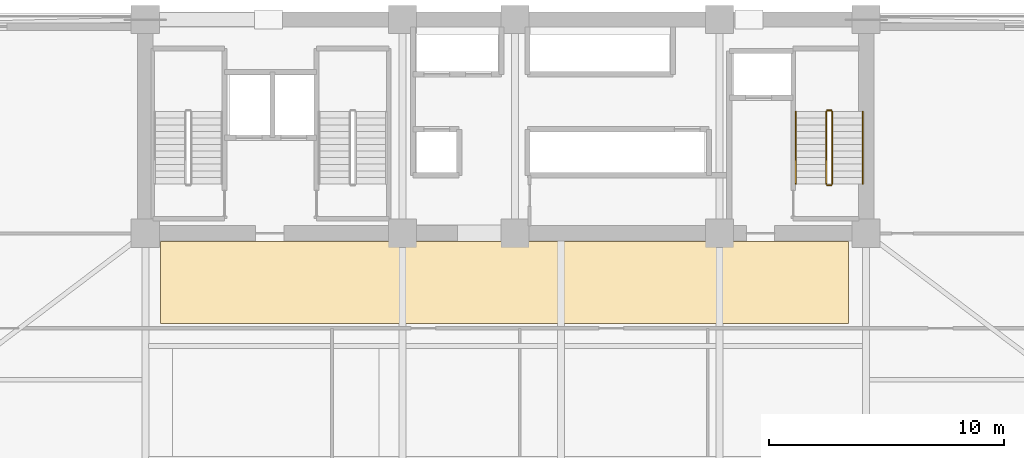
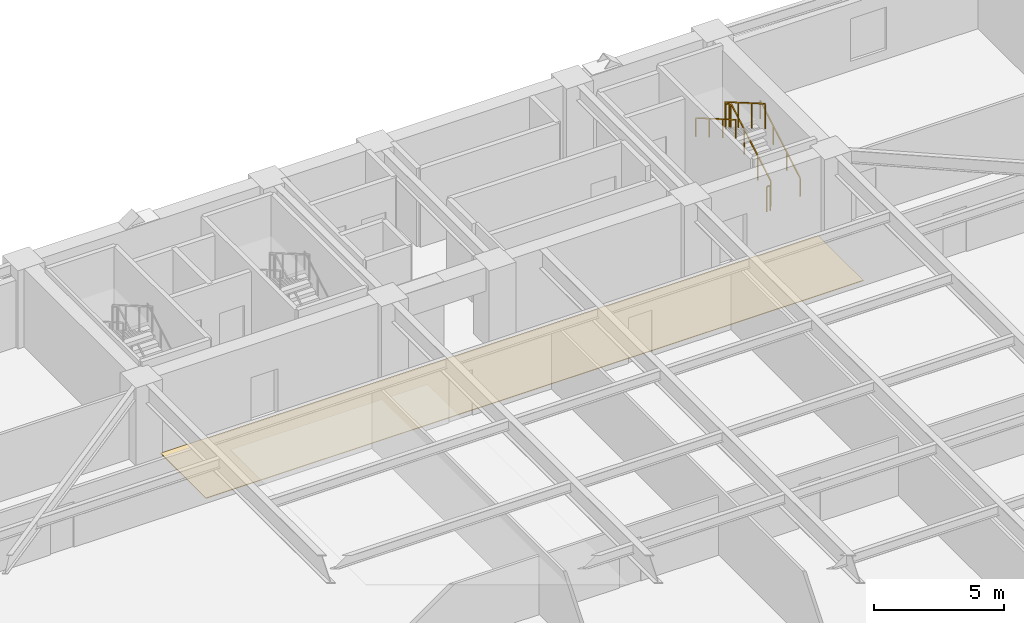
# One storey, part 16 of 17: 6 railings, 1 covering.
"""IFC4 building model written with IfcOpenShell, lengths in metres."""

from ifc_helpers import new_model, si_unit, direction, frame, origin, origin_2d, place, context, subcontext, project, spatial, polyline, rectangle, outline, extrude, material, layer, layer_set, type_object, element, save


model = new_model("IFC4")

# Units and contexts
model_context = context("Model", 3, precision=1e-05, world=origin(), true_north=direction((0.0, 1.0)))
body_context = subcontext(model_context, "Body", "Model", "MODEL_VIEW")
ifc_project = project(units=[si_unit("LENGTHUNIT", "METRE"), si_unit("AREAUNIT", "SQUARE_METRE"), si_unit("VOLUMEUNIT", "CUBIC_METRE"), si_unit("PLANEANGLEUNIT", "RADIAN"), si_unit("MASSUNIT", "GRAM", prefix="KILO")], contexts=[model_context])

# Site, building, storey
site_placement = place(None, origin())
site = spatial("IfcSite", under=ifc_project, at=site_placement, CompositionType="ELEMENT")
building_placement = place(site_placement, origin())
building = spatial("IfcBuilding", under=site, at=building_placement, Name="Giltprow Tower", CompositionType="ELEMENT")
storey_placement = place(building_placement, frame((0.0, 0.0, 37.10009765625)))
storey = spatial("IfcBuildingStorey", under=building, at=storey_placement, Name="L09", CompositionType="ELEMENT", Elevation=37.10009765625)

# Covering
ifc_material_1 = material(Name="Honed granite", Category="masonry")
ifc_layer = layer(ifc_material_1, 0.030029296875, Name="Honed granite")
ifc_layer_set = layer_set([ifc_layer], Name="Honed granite")
covering_type = type_object("IfcCoveringType", Name="COV-FLR-STONE", PredefinedType="FLOORING", material=ifc_layer_set)
covering_placement = place(storey_placement, origin())
element("IfcCovering", 1, at=covering_placement, inside=storey, type_object=covering_type, Name="L09 Office Corridor Stone Flooring", PredefinedType="FLOORING", context=body_context, shape_type="SweptSolid", body=[
    extrude(outline(polyline([(20.5, 33.60009765625), (49.800048828125, 33.60009765625), (49.800048828125, 37.10009765625), (20.5, 37.10009765625), (20.5, 33.60009765625)])), origin(), (0.0, 0.0, 1.0), 0.02978515625),
])

# Railings
ifc_material_2 = material(Name="Anodized bronze", Category="metal")
railing_type_1 = type_object("IfcRailingType", Name="RAIL-STAIR-GUARD-1200", PredefinedType="GUARDRAIL", material=ifc_material_2)
railing_1_placement = place(storey_placement, frame((49.110107421875, 39.550048828125, 0.162353515625)))
element("IfcRailing", 2, at=railing_1_placement, inside=storey, type_object=railing_type_1, Name="L09 ST-3 stair guard 1", PredefinedType="GUARDRAIL", context=body_context, shape_type="SweptSolid", body=[
    extrude(rectangle(XDim=0.048095703125, YDim=0.048095703125, at=origin_2d()), frame((0.0, 0.0, 1.17578125), z_axis=(0.0, 0.864873446163, 0.501989962173), x_axis=(-1.0, 0.0, 0.0)), (0.0, 0.0, 1.0), 3.56103515625),
    extrude(rectangle(XDim=0.0419921875, YDim=0.0419921875, at=origin_2d()), origin(), (0.0, 0.0, 1.0), 1.15185546875),
    extrude(rectangle(XDim=0.0419921875, YDim=0.0419921875, at=origin_2d()), frame((0.0, 1.026611328125, 0.595947265625)), (0.0, 0.0, 1.0), 1.15185546875),
    extrude(rectangle(XDim=0.0419921875, YDim=0.0419921875, at=origin_2d()), frame((0.0, 2.05322265625, 1.191650390625)), (0.0, 0.0, 1.0), 1.15185546875),
    extrude(rectangle(XDim=0.0419921875, YDim=0.0419921875, at=origin_2d()), frame((0.0, 3.079833984375, 1.78759765625)), (0.0, 0.0, 1.0), 1.15185546875),
])
railing_2_placement = place(storey_placement, frame((49.06005859375, 42.679931640625, 1.949951171875)))
element("IfcRailing", 3, at=railing_2_placement, inside=storey, type_object=railing_type_1, Name="L09 ST-3 stair guard 2", PredefinedType="GUARDRAIL", context=body_context, shape_type="SweptSolid", body=[
    extrude(rectangle(XDim=0.048095703125, YDim=0.048095703125, at=origin_2d()), frame((0.0, 0.0, 1.17578125), z_axis=(-1.0, 0.0, 0.0), x_axis=(0.0, -1.0, 0.0)), (0.0, 0.0, 1.0), 0.16015625),
    extrude(rectangle(XDim=0.0419921875, YDim=0.0419921875, at=origin_2d()), origin(), (0.0, 0.0, 1.0), 1.15185546875),
    extrude(rectangle(XDim=0.0419921875, YDim=0.0419921875, at=origin_2d()), frame((-0.16015625, 0.0, 0.0)), (0.0, 0.0, 1.0), 1.15185546875),
])
railing_3_placement = place(storey_placement, frame((48.85009765625, 42.6298828125, 2.1123046875)))
element("IfcRailing", 4, at=railing_3_placement, inside=storey, type_object=railing_type_1, Name="L09 ST-3 stair guard 3", PredefinedType="GUARDRAIL", context=body_context, shape_type="SweptSolid", body=[
    extrude(rectangle(XDim=0.048095703125, YDim=0.048095703125, at=origin_2d()), frame((0.0, 0.0, 1.17578125), z_axis=(0.0, -0.864873446163, 0.501989962173), x_axis=(1.0, 0.0, 0.0)), (0.0, 0.0, 1.0), 3.56103515625),
    extrude(rectangle(XDim=0.0419921875, YDim=0.0419921875, at=origin_2d()), origin(), (0.0, 0.0, 1.0), 1.15185546875),
    extrude(rectangle(XDim=0.0419921875, YDim=0.0419921875, at=origin_2d()), frame((0.0, -1.026611328125, 0.595947265625)), (0.0, 0.0, 1.0), 1.15185546875),
    extrude(rectangle(XDim=0.0419921875, YDim=0.0419921875, at=origin_2d()), frame((0.0, -2.05322265625, 1.191650390625)), (0.0, 0.0, 1.0), 1.15185546875),
    extrude(rectangle(XDim=0.0419921875, YDim=0.0419921875, at=origin_2d()), frame((0.0, -3.079833984375, 1.78759765625)), (0.0, 0.0, 1.0), 1.15185546875),
])
railing_4_placement = place(storey_placement, frame((49.06005859375, 39.5, 0.0)))
element("IfcRailing", 5, at=railing_4_placement, inside=storey, type_object=railing_type_1, Name="L09 ST-3 stair guard 4", PredefinedType="GUARDRAIL", context=body_context, shape_type="SweptSolid", body=[
    extrude(rectangle(XDim=0.048095703125, YDim=0.048095703125, at=origin_2d()), frame((0.0, 0.0, 1.17578125), z_axis=(-1.0, 0.0, 0.0), x_axis=(0.0, -1.0, 0.0)), (0.0, 0.0, 1.0), 0.16015625),
    extrude(rectangle(XDim=0.0419921875, YDim=0.0419921875, at=origin_2d()), origin(), (0.0, 0.0, 1.0), 1.15185546875),
    extrude(rectangle(XDim=0.0419921875, YDim=0.0419921875, at=origin_2d()), frame((-0.16015625, 0.0, 0.0)), (0.0, 0.0, 1.0), 1.15185546875),
])
railing_type_2 = type_object("IfcRailingType", Name="RAIL-STAIR-HAND-900", PredefinedType="HANDRAIL", material=ifc_material_2)
railing_5_placement = place(storey_placement, frame((50.409912109375, 39.550048828125, 0.162353515625)))
element("IfcRailing", 6, at=railing_5_placement, inside=storey, type_object=railing_type_2, Name="L09 ST-3 stair handrail 1", PredefinedType="HANDRAIL", context=body_context, shape_type="SweptSolid", body=[
    extrude(rectangle(XDim=0.048095703125, YDim=0.048095703125, at=origin_2d()), frame((0.0, 0.0, 0.8759765625), z_axis=(0.0, 0.864873446163, 0.501989962173), x_axis=(-1.0, 0.0, 0.0)), (0.0, 0.0, 1.0), 3.56103515625),
    extrude(rectangle(XDim=0.0419921875, YDim=0.0419921875, at=origin_2d()), origin(), (0.0, 0.0, 1.0), 0.851806640625),
    extrude(rectangle(XDim=0.0419921875, YDim=0.0419921875, at=origin_2d()), frame((0.0, 1.026611328125, 0.595947265625)), (0.0, 0.0, 1.0), 0.851806640625),
    extrude(rectangle(XDim=0.0419921875, YDim=0.0419921875, at=origin_2d()), frame((0.0, 2.05322265625, 1.191650390625)), (0.0, 0.0, 1.0), 0.851806640625),
    extrude(rectangle(XDim=0.0419921875, YDim=0.0419921875, at=origin_2d()), frame((0.0, 3.079833984375, 1.78759765625)), (0.0, 0.0, 1.0), 0.851806640625),
])
railing_6_placement = place(storey_placement, frame((47.550048828125, 42.6298828125, 2.1123046875)))
element("IfcRailing", 7, at=railing_6_placement, inside=storey, type_object=railing_type_2, Name="L09 ST-3 stair handrail 2", PredefinedType="HANDRAIL", context=body_context, shape_type="SweptSolid", body=[
    extrude(rectangle(XDim=0.048095703125, YDim=0.048095703125, at=origin_2d()), frame((0.0, 0.0, 0.8759765625), z_axis=(0.0, -0.864873446163, 0.501989962173), x_axis=(1.0, 0.0, 0.0)), (0.0, 0.0, 1.0), 3.56103515625),
    extrude(rectangle(XDim=0.0419921875, YDim=0.0419921875, at=origin_2d()), origin(), (0.0, 0.0, 1.0), 0.851806640625),
    extrude(rectangle(XDim=0.0419921875, YDim=0.0419921875, at=origin_2d()), frame((0.0, -1.026611328125, 0.595947265625)), (0.0, 0.0, 1.0), 0.851806640625),
    extrude(rectangle(XDim=0.0419921875, YDim=0.0419921875, at=origin_2d()), frame((0.0, -2.05322265625, 1.191650390625)), (0.0, 0.0, 1.0), 0.851806640625),
    extrude(rectangle(XDim=0.0419921875, YDim=0.0419921875, at=origin_2d()), frame((0.0, -3.079833984375, 1.78759765625)), (0.0, 0.0, 1.0), 0.851806640625),
])

save(model, "model.ifc")
